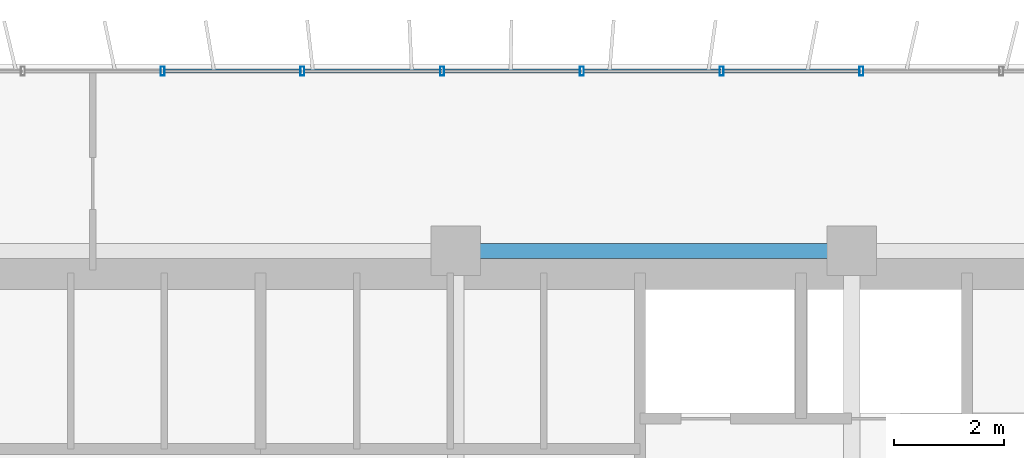
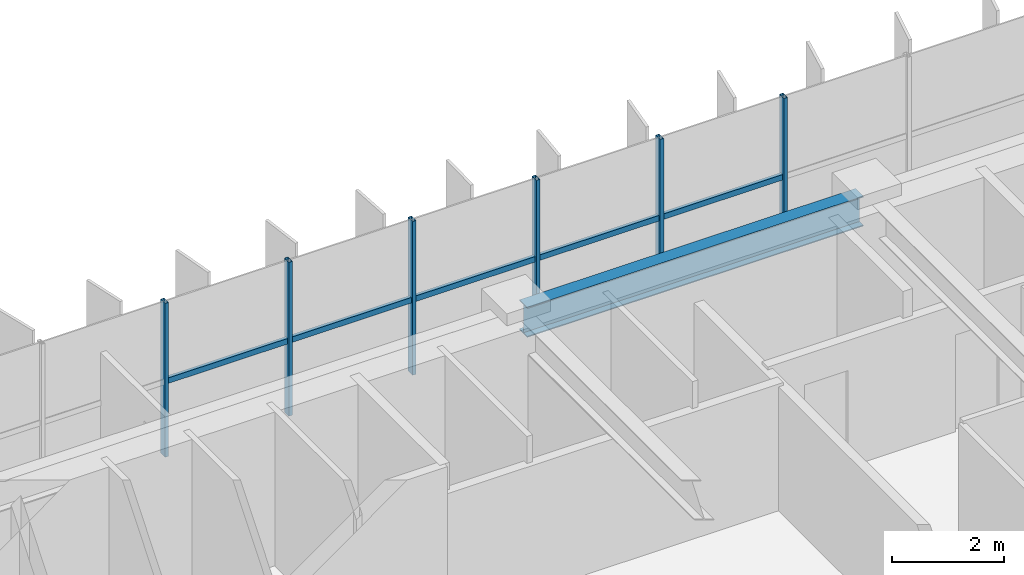
# One storey, part 10 of 22: 11 members, 1 beam, 1 element without a shape of its own.
"""IFC4 building model written with IfcOpenShell, lengths in metres."""

from ifc_helpers import new_model, si_unit, direction, frame, origin, origin_2d, place, context, subcontext, project, spatial, hollow_rectangle, i_section, extrude, source, transform, mapped, material, material_profile, profile_set, type_object, element, aggregate, save


model = new_model("IFC4")

# Units and contexts
model_context = context("Model", 3, precision=1e-05, world=origin(), true_north=direction((0.0, 1.0)))
body_context = subcontext(model_context, "Body", "Model", "MODEL_VIEW")
ifc_project = project(units=[si_unit("LENGTHUNIT", "METRE"), si_unit("AREAUNIT", "SQUARE_METRE"), si_unit("VOLUMEUNIT", "CUBIC_METRE"), si_unit("PLANEANGLEUNIT", "RADIAN"), si_unit("MASSUNIT", "GRAM", prefix="KILO")], contexts=[model_context])

# Site, building, storey
site_placement = place(None, origin())
site = spatial("IfcSite", under=ifc_project, at=site_placement, CompositionType="ELEMENT")
building_placement = place(site_placement, origin())
building = spatial("IfcBuilding", under=site, at=building_placement, Name="Trelvane Seafront Commons", CompositionType="ELEMENT")
storey_placement = place(building_placement, frame((0.0, 0.0, 55.89990234375)))
storey = spatial("IfcBuildingStorey", under=building, at=storey_placement, Name="L14", CompositionType="ELEMENT", Elevation=55.89990234375)

# Beam
ifc_material_1 = material(Name="Steel SM355 (S355)", Category="steel")
ifc_material_profile_1 = material_profile(ifc_material_1, i_section(OverallWidth=0.280029296875, OverallDepth=0.64990234375, WebThickness=0.012939453125, FlangeThickness=0.02197265625, at=origin_2d()), Name="H-650x280x13x22")
ifc_profile_set_1 = profile_set([ifc_material_profile_1], Name="Steel SM355 (S355)")
beam_type = type_object("IfcBeamType", Name="STR-BM-H650", PredefinedType="BEAM", material=ifc_profile_set_1)
shared_shape_1 = source(origin(), body_context, "Body", "SweptSolid", [
    extrude(i_section(OverallWidth=0.280029296875, OverallDepth=0.64990234375, WebThickness=0.012939453125, FlangeThickness=0.02197265625, at=origin_2d()), origin(), (0.0, 0.0, 1.0), 6.900146484375),
])
beam_placement = place(storey_placement, frame((43.949951171875, 45.10009765625, 3.01513671875), z_axis=(1.0, 0.0, 0.0), x_axis=(0.0, 1.0, 0.0)))
element("IfcBeam", 1, at=beam_placement, inside=storey, type_object=beam_type, Name="L14 Primary Girder G-33", PredefinedType="BEAM", context=body_context, shape_type="MappedRepresentation", body=[
    mapped(shared_shape_1, transform((0.0, 0.0, 0.0), x_axis=(1.0, 0.0, 0.0), y_axis=(0.0, 1.0, 0.0), z_axis=(0.0, 0.0, 1.0), scale=1.0)),
])

# Curtain wall, members
ifc_material_2 = material(Name="Anodised pale-silver aluminium", Category="aluminium")
curtain_wall_type = type_object("IfcCurtainWallType", Name="ARCH-CW2-LOWTOWER", PredefinedType="NOTDEFINED", material=ifc_material_2)
curtain_wall_placement = place(storey_placement, origin())
curtain_wall = element("IfcCurtainWall", 2, at=curtain_wall_placement, inside=storey, type_object=curtain_wall_type, Name="CW-L14-0038", PredefinedType="NOTDEFINED")
ifc_material_profile_2 = material_profile(ifc_material_2, hollow_rectangle(XDim=0.074951171875, YDim=0.159912109375, WallThickness=0.00390625, at=origin_2d()), Name="MULL-75x160x4")
ifc_profile_set_2 = profile_set([ifc_material_profile_2], Name="Anodised pale-silver aluminium")
member_type_1 = type_object("IfcMemberType", Name="ARCH-CW-MULL-160", PredefinedType="MULLION", material=ifc_profile_set_2)
shared_shape_2 = source(origin(), body_context, "Body", "SweptSolid", [
    extrude(hollow_rectangle(XDim=0.074951171875, YDim=0.159912109375, WallThickness=0.00390625, at=origin_2d()), origin(), (0.0, 0.0, 1.0), 3.340087890625),
])
member_1_placement = place(storey_placement, frame((38.470703125, 48.3701171875, 0.0), z_axis=(0.0, 0.0, 1.0), x_axis=(1.0, 0.0, 0.0)))
member_1 = element("IfcMember", 3, at=member_1_placement, type_object=member_type_1, Name="CW-L14-0038-M09", PredefinedType="MULLION", context=body_context, shape_type="MappedRepresentation", body=[
    mapped(shared_shape_2, transform((0.0, 0.0, 0.0), x_axis=(1.0, 0.0, 0.0), y_axis=(0.0, 1.0, 0.0), z_axis=(0.0, 0.0, 1.0), scale=1.0)),
])
member_2_placement = place(storey_placement, frame((41.01171875, 48.3701171875, 0.0), z_axis=(0.0, 0.0, 1.0), x_axis=(1.0, 0.0, 0.0)))
member_2 = element("IfcMember", 4, at=member_2_placement, type_object=member_type_1, Name="CW-L14-0038-M10", PredefinedType="MULLION", context=body_context, shape_type="MappedRepresentation", body=[
    mapped(shared_shape_2, transform((0.0, 0.0, 0.0), x_axis=(1.0, 0.0, 0.0), y_axis=(0.0, 1.0, 0.0), z_axis=(0.0, 0.0, 1.0), scale=1.0)),
])
member_3_placement = place(storey_placement, frame((43.552978515625, 48.3701171875, 0.0), z_axis=(0.0, 0.0, 1.0), x_axis=(1.0, 0.0, 0.0)))
member_3 = element("IfcMember", 5, at=member_3_placement, type_object=member_type_1, Name="CW-L14-0038-M11", PredefinedType="MULLION", context=body_context, shape_type="MappedRepresentation", body=[
    mapped(shared_shape_2, transform((0.0, 0.0, 0.0), x_axis=(1.0, 0.0, 0.0), y_axis=(0.0, 1.0, 0.0), z_axis=(0.0, 0.0, 1.0), scale=1.0)),
])
member_4_placement = place(storey_placement, frame((46.093994140625, 48.3701171875, 0.0), z_axis=(0.0, 0.0, 1.0), x_axis=(1.0, 0.0, 0.0)))
member_4 = element("IfcMember", 6, at=member_4_placement, type_object=member_type_1, Name="CW-L14-0038-M12", PredefinedType="MULLION", context=body_context, shape_type="MappedRepresentation", body=[
    mapped(shared_shape_2, transform((0.0, 0.0, 0.0), x_axis=(1.0, 0.0, 0.0), y_axis=(0.0, 1.0, 0.0), z_axis=(0.0, 0.0, 1.0), scale=1.0)),
])
member_5_placement = place(storey_placement, frame((48.63525390625, 48.3701171875, 0.0), z_axis=(0.0, 0.0, 1.0), x_axis=(1.0, 0.0, 0.0)))
member_5 = element("IfcMember", 7, at=member_5_placement, type_object=member_type_1, Name="CW-L14-0038-M13", PredefinedType="MULLION", context=body_context, shape_type="MappedRepresentation", body=[
    mapped(shared_shape_2, transform((0.0, 0.0, 0.0), x_axis=(1.0, 0.0, 0.0), y_axis=(0.0, 1.0, 0.0), z_axis=(0.0, 0.0, 1.0), scale=1.0)),
])
member_6_placement = place(storey_placement, frame((51.176513671875, 48.3701171875, 0.0), z_axis=(0.0, 0.0, 1.0), x_axis=(1.0, 0.0, 0.0)))
member_6 = element("IfcMember", 8, at=member_6_placement, type_object=member_type_1, Name="CW-L14-0038-M14", PredefinedType="MULLION", context=body_context, shape_type="MappedRepresentation", body=[
    mapped(shared_shape_2, transform((0.0, 0.0, 0.0), x_axis=(1.0, 0.0, 0.0), y_axis=(0.0, 1.0, 0.0), z_axis=(0.0, 0.0, 1.0), scale=1.0)),
])
ifc_material_profile_3 = material_profile(ifc_material_2, hollow_rectangle(XDim=0.070068359375, YDim=0.1201171875, WallThickness=0.00390625, at=origin_2d()), Name="TRAN-70x120x4")
ifc_profile_set_3 = profile_set([ifc_material_profile_3], Name="Anodised pale-silver aluminium")
member_type_2 = type_object("IfcMemberType", Name="ARCH-CW-TRAN-120", PredefinedType="USERDEFINED", material=ifc_profile_set_3)
shared_shape_3 = source(origin(), body_context, "Body", "SweptSolid", [
    extrude(hollow_rectangle(XDim=0.070068359375, YDim=0.1201171875, WallThickness=0.00390625, at=origin_2d()), origin(), (0.0, 0.0, 1.0), 2.51708984375),
])
member_7_placement = place(storey_placement, frame((38.482666015625, 48.3701171875, 1.60302734375), z_axis=(1.0, 0.0, 0.0), x_axis=(0.0, 1.0, 0.0)))
member_7 = element("IfcMember", 9, at=member_7_placement, type_object=member_type_2, Name="CW-L14-0038-T09", ObjectType="TRANSOM", PredefinedType="USERDEFINED", context=body_context, shape_type="MappedRepresentation", body=[
    mapped(shared_shape_3, transform((0.0, 0.0, 0.0), x_axis=(1.0, 0.0, 0.0), y_axis=(0.0, 1.0, 0.0), z_axis=(0.0, 0.0, 1.0), scale=1.0)),
])
member_8_placement = place(storey_placement, frame((43.56494140625, 48.3701171875, 1.60302734375), z_axis=(1.0, 0.0, 0.0), x_axis=(0.0, 1.0, 0.0)))
member_8 = element("IfcMember", 10, at=member_8_placement, type_object=member_type_2, Name="CW-L14-0038-T11", ObjectType="TRANSOM", PredefinedType="USERDEFINED", context=body_context, shape_type="MappedRepresentation", body=[
    mapped(shared_shape_3, transform((0.0, 0.0, 0.0), x_axis=(1.0, 0.0, 0.0), y_axis=(0.0, 1.0, 0.0), z_axis=(0.0, 0.0, 1.0), scale=1.0)),
])
member_9_placement = place(storey_placement, frame((46.106201171875, 48.3701171875, 1.60302734375), z_axis=(1.0, 0.0, 0.0), x_axis=(0.0, 1.0, 0.0)))
member_9 = element("IfcMember", 11, at=member_9_placement, type_object=member_type_2, Name="CW-L14-0038-T12", ObjectType="TRANSOM", PredefinedType="USERDEFINED", context=body_context, shape_type="MappedRepresentation", body=[
    mapped(shared_shape_3, transform((0.0, 0.0, 0.0), x_axis=(1.0, 0.0, 0.0), y_axis=(0.0, 1.0, 0.0), z_axis=(0.0, 0.0, 1.0), scale=1.0)),
])
shared_shape_4 = source(origin(), body_context, "Body", "SweptSolid", [
    extrude(hollow_rectangle(XDim=0.070068359375, YDim=0.1201171875, WallThickness=0.00390625, at=origin_2d()), origin(), (0.0, 0.0, 1.0), 2.517333984375),
])
member_10_placement = place(storey_placement, frame((41.023681640625, 48.3701171875, 1.60302734375), z_axis=(1.0, 0.0, 0.0), x_axis=(0.0, 1.0, 0.0)))
member_10 = element("IfcMember", 12, at=member_10_placement, type_object=member_type_2, Name="CW-L14-0038-T10", ObjectType="TRANSOM", PredefinedType="USERDEFINED", context=body_context, shape_type="MappedRepresentation", body=[
    mapped(shared_shape_4, transform((0.0, 0.0, 0.0), x_axis=(1.0, 0.0, 0.0), y_axis=(0.0, 1.0, 0.0), z_axis=(0.0, 0.0, 1.0), scale=1.0)),
])
member_11_placement = place(storey_placement, frame((48.647216796875, 48.3701171875, 1.60302734375), z_axis=(1.0, 0.0, 0.0), x_axis=(0.0, 1.0, 0.0)))
member_11 = element("IfcMember", 13, at=member_11_placement, type_object=member_type_2, Name="CW-L14-0038-T13", ObjectType="TRANSOM", PredefinedType="USERDEFINED", context=body_context, shape_type="MappedRepresentation", body=[
    mapped(shared_shape_4, transform((0.0, 0.0, 0.0), x_axis=(1.0, 0.0, 0.0), y_axis=(0.0, 1.0, 0.0), z_axis=(0.0, 0.0, 1.0), scale=1.0)),
])
aggregate(curtain_wall, [member_1, member_2, member_3, member_4, member_5, member_6, member_7, member_10, member_8, member_9, member_11])

save(model, "model.ifc")
